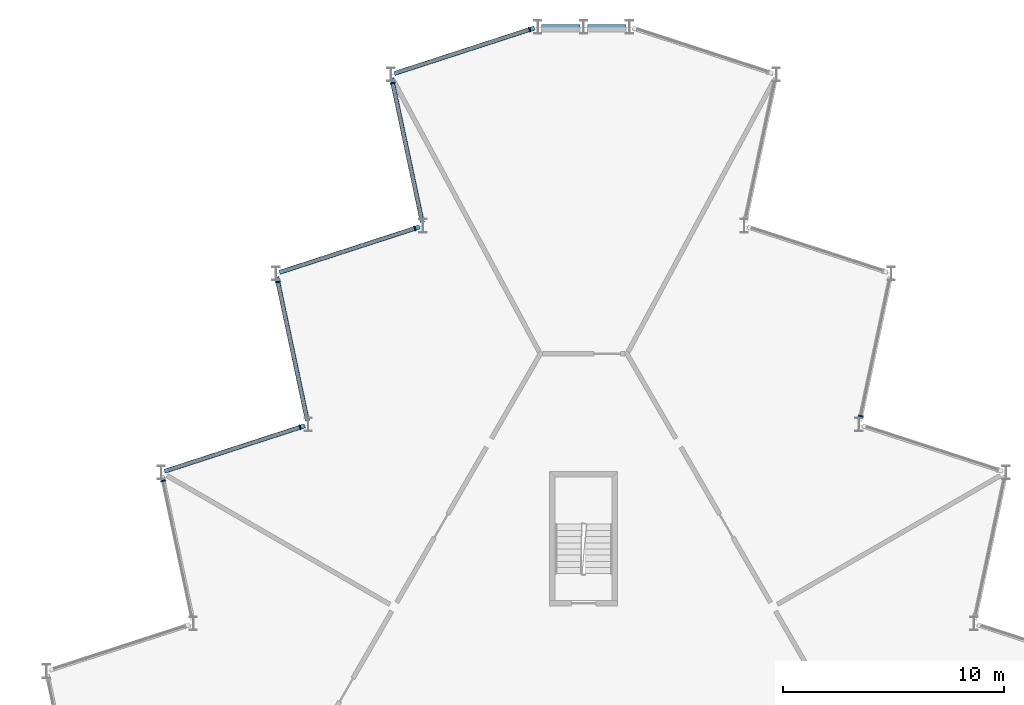
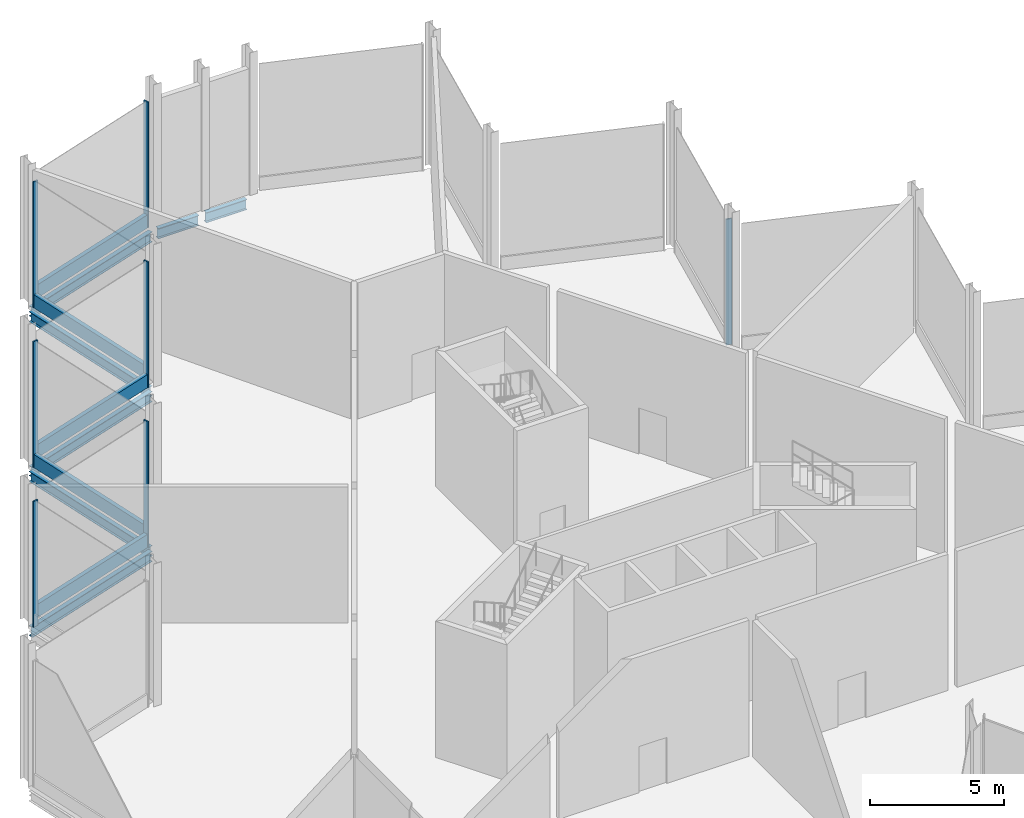
# One storey, part 7 of 12: 12 members, 7 beams, 7 elements without a shape of their own.
"""IFC4 building model written with IfcOpenShell, lengths in metres."""

from ifc_helpers import new_model, si_unit, direction, frame, origin, origin_2d, place, context, subcontext, project, spatial, rectangle, i_section, extrude, material, layer, layer_set, material_profile, profile_set, type_object, element, aggregate, save


model = new_model("IFC4")

# Units and contexts
model_context = context("Model", 3, precision=1e-05, world=origin(), true_north=direction((0.0, 1.0)))
body_context = subcontext(model_context, "Body", "Model", "MODEL_VIEW")
ifc_project = project(units=[si_unit("LENGTHUNIT", "METRE"), si_unit("AREAUNIT", "SQUARE_METRE"), si_unit("VOLUMEUNIT", "CUBIC_METRE"), si_unit("PLANEANGLEUNIT", "RADIAN"), si_unit("MASSUNIT", "GRAM", prefix="KILO")], contexts=[model_context])

# Site, building, storey
site_placement = place(None, origin())
site = spatial("IfcSite", under=ifc_project, at=site_placement, CompositionType="ELEMENT")
building_placement = place(site_placement, origin())
building = spatial("IfcBuilding", under=site, at=building_placement, Name="Cormorant Prow Tower", CompositionType="ELEMENT")
storey_placement = place(building_placement, frame((0.0, 0.0, 421.699951171875)))
storey = spatial("IfcBuildingStorey", under=building, at=storey_placement, Name="L95", CompositionType="ELEMENT", Elevation=421.699951171875)

# Curtain wall, member
ifc_material_1 = material(Name="Aluminium 6063-T6", Category="aluminium")
ifc_layer = layer(ifc_material_1, 0.219970703125)
ifc_layer_set = layer_set([ifc_layer], Name="Aluminium 6063-T6")
curtain_wall_type = type_object("IfcCurtainWallType", Name="Crown unitised curtain wall 220", PredefinedType="NOTDEFINED", material=ifc_layer_set)
curtain_wall_1_placement = place(storey_placement, origin())
curtain_wall_1 = element("IfcCurtainWall", 1, at=curtain_wall_1_placement, inside=storey, type_object=curtain_wall_type, Name="Crown curtain wall crown ENE06", PredefinedType="NOTDEFINED")
ifc_material_2 = material(Name="Aluminium 6063-T6", Category="aluminium")
ifc_material_profile_1 = material_profile(ifc_material_2, rectangle(XDim=0.219970703125, YDim=0.06005859375, at=origin_2d()), Name="Crown mullion 60x220")
ifc_profile_set_1 = profile_set([ifc_material_profile_1], Name="Aluminium 6063-T6")
member_type_1 = type_object("IfcMemberType", Name="Crown mullion 60x220", PredefinedType="MULLION", material=ifc_profile_set_1)
member_1_placement = place(storey_placement, frame((12.55615234375, 13.593505859375, 0.0), z_axis=(0.0, 0.0, 1.0), x_axis=(-0.978147615768, 0.207911620089, 0.0)))
member_1 = element("IfcMember", 2, at=member_1_placement, type_object=member_type_1, Name="Crown mullion crown ENE06", PredefinedType="MULLION", context=body_context, shape_type="SweptSolid", body=[
    extrude(rectangle(XDim=0.219970703125, YDim=0.06005859375, at=origin_2d()), origin(), (0.0, 0.0, 1.0), 5.73388671875),
])
aggregate(curtain_wall_1, [member_1])

curtain_wall_2_placement = place(storey_placement, origin())
curtain_wall_2 = element("IfcCurtainWall", 3, at=curtain_wall_2_placement, inside=storey, type_object=curtain_wall_type, Name="Crown curtain wall crown WNW00", PredefinedType="NOTDEFINED")
member_2_placement = place(storey_placement, frame((-2.450439453125, 31.09716796875, 0.0), z_axis=(0.0, 0.0, 1.0), x_axis=(0.309017066365, -0.951056492904, 0.0)))
member_2 = element("IfcMember", 4, at=member_2_placement, type_object=member_type_1, Name="Crown mullion crown WNW00", PredefinedType="MULLION", context=body_context, shape_type="SweptSolid", body=[
    extrude(rectangle(XDim=0.219970703125, YDim=0.06005859375, at=origin_2d()), origin(), (0.0, 0.0, 1.0), 5.73388671875),
])

curtain_wall_3_placement = place(storey_placement, origin())
curtain_wall_3 = element("IfcCurtainWall", 5, at=curtain_wall_3_placement, inside=storey, type_object=curtain_wall_type, Name="Crown curtain wall crown WNW01", PredefinedType="NOTDEFINED")
member_3_placement = place(storey_placement, frame((-8.646240234375, 28.669921875, 0.0), z_axis=(0.0, 0.0, 1.0), x_axis=(0.978147615768, 0.207911620089, 0.0)))
member_3 = element("IfcMember", 6, at=member_3_placement, type_object=member_type_1, Name="Crown mullion crown WNW01", PredefinedType="MULLION", context=body_context, shape_type="SweptSolid", body=[
    extrude(rectangle(XDim=0.219970703125, YDim=0.06005859375, at=origin_2d()), origin(), (0.0, 0.0, 1.0), 5.73388671875),
])

curtain_wall_4_placement = place(storey_placement, origin())
curtain_wall_4 = element("IfcCurtainWall", 7, at=curtain_wall_4_placement, inside=storey, type_object=curtain_wall_type, Name="Crown curtain wall crown WNW02", PredefinedType="NOTDEFINED")
member_4_placement = place(storey_placement, frame((-7.650390625, 22.090576171875, 0.0), z_axis=(0.0, 0.0, 1.0), x_axis=(0.309016937108, -0.951056534902, 0.0)))
member_4 = element("IfcMember", 8, at=member_4_placement, type_object=member_type_1, Name="Crown mullion crown WNW02", PredefinedType="MULLION", context=body_context, shape_type="SweptSolid", body=[
    extrude(rectangle(XDim=0.219970703125, YDim=0.06005859375, at=origin_2d()), origin(), (0.0, 0.0, 1.0), 5.73388671875),
])

curtain_wall_5_placement = place(storey_placement, origin())
curtain_wall_5 = element("IfcCurtainWall", 9, at=curtain_wall_5_placement, inside=storey, type_object=curtain_wall_type, Name="Crown curtain wall crown WNW03", PredefinedType="NOTDEFINED")
member_5_placement = place(storey_placement, frame((-13.84619140625, 19.663330078125, 0.0), z_axis=(0.0, 0.0, 1.0), x_axis=(0.978147615768, 0.207911620089, 0.0)))
member_5 = element("IfcMember", 10, at=member_5_placement, type_object=member_type_1, Name="Crown mullion crown WNW03", PredefinedType="MULLION", context=body_context, shape_type="SweptSolid", body=[
    extrude(rectangle(XDim=0.219970703125, YDim=0.06005859375, at=origin_2d()), origin(), (0.0, 0.0, 1.0), 5.73388671875),
])

curtain_wall_6_placement = place(storey_placement, origin())
curtain_wall_6 = element("IfcCurtainWall", 11, at=curtain_wall_6_placement, inside=storey, type_object=curtain_wall_type, Name="Crown curtain wall crown WNW04", PredefinedType="NOTDEFINED")
member_6_placement = place(storey_placement, frame((-12.850341796875, 13.083740234375, 0.0), z_axis=(0.0, 0.0, 1.0), x_axis=(0.309017066365, -0.951056492904, 0.0)))
member_6 = element("IfcMember", 12, at=member_6_placement, type_object=member_type_1, Name="Crown mullion crown WNW04", PredefinedType="MULLION", context=body_context, shape_type="SweptSolid", body=[
    extrude(rectangle(XDim=0.219970703125, YDim=0.06005859375, at=origin_2d()), origin(), (0.0, 0.0, 1.0), 5.73388671875),
])

curtain_wall_7_placement = place(storey_placement, origin())
curtain_wall_7 = element("IfcCurtainWall", 13, at=curtain_wall_7_placement, inside=storey, type_object=curtain_wall_type, Name="Crown curtain wall crown WNW05", PredefinedType="NOTDEFINED")
member_7_placement = place(storey_placement, frame((-19.04638671875, 10.656494140625, 0.0), z_axis=(0.0, 0.0, 1.0), x_axis=(0.978147609588, 0.207911649162, 0.0)))
member_7 = element("IfcMember", 14, at=member_7_placement, type_object=member_type_1, Name="Crown mullion crown WNW05", PredefinedType="MULLION", context=body_context, shape_type="SweptSolid", body=[
    extrude(rectangle(XDim=0.219970703125, YDim=0.06005859375, at=origin_2d()), origin(), (0.0, 0.0, 1.0), 5.73388671875),
])
aggregate(curtain_wall_7, [member_7])

# Beams
ifc_material_3 = material(Name="Structural steel ASTM A992 Gr 50", Category="steel")
ifc_material_profile_2 = material_profile(ifc_material_3, i_section(OverallWidth=0.19287109375, OverallDepth=0.466064453125, WebThickness=0.011474609375, FlangeThickness=0.01904296875, at=origin_2d()), Name="W18x65")
ifc_profile_set_2 = profile_set([ifc_material_profile_2], Name="Structural steel ASTM A992 Gr 50")
beam_type = type_object("IfcBeamType", Name="Crown ring beam W18x65", PredefinedType="SPANDREL", material=ifc_profile_set_2)
for number, where, z_axis, x_axis, name in (
    (15, (1.91064453125, 31.219482421875, -0.532958984375), (-1.0, 0.0, 0.0), (0.0, -1.0, 0.0), "Crown ring beam SB5 N00-N01 L95"),
    (16, (-0.163330078125, 31.219482421875, -0.532958984375), (-1.0, 0.0, 0.0), (0.0, -1.0, 0.0), "Crown ring beam SB5 N01-WNW00 L95"),
):
    element("IfcBeam", number, at=place(storey_placement, frame(where, z_axis=z_axis, x_axis=x_axis)), inside=storey, type_object=beam_type, Name=name, PredefinedType="SPANDREL", context=body_context, shape_type="SweptSolid", body=[
        extrude(i_section(OverallWidth=0.19287109375, OverallDepth=0.466064453125, WebThickness=0.011474609375, FlangeThickness=0.01904296875, at=origin_2d()), origin(), (0.0, 0.0, 1.0), 1.747314453125),
    ])
for number, where, z_axis, x_axis, name in (
    (17, (-2.22900390625, 31.169189453125, -0.532958984375), (-0.951049666898, -0.309038073858, 0.0), (0.309038073858, -0.951049666898, 0.0), "Crown ring beam SB5 WNW00-WNW01 L95"),
    (18, (-8.694580078125, 28.8974609375, -0.532958984375), (0.207884143827, -0.978153455622, 0.0), (0.978153455622, 0.207884143827, 0.0), "Crown ring beam SB5 WNW01-WNW02 L95"),
):
    element("IfcBeam", number, at=place(storey_placement, frame(where, z_axis=z_axis, x_axis=x_axis)), inside=storey, type_object=beam_type, Name=name, PredefinedType="SPANDREL", context=body_context, shape_type="SweptSolid", body=[
        extrude(i_section(OverallWidth=0.19287109375, OverallDepth=0.466064453125, WebThickness=0.011474609375, FlangeThickness=0.01904296875, at=origin_2d()), origin(), (0.0, 0.0, 1.0), 6.670654296875),
    ])
beam_placement = place(storey_placement, frame((-7.428955078125, 22.162353515625, -0.532958984375), z_axis=(-0.951063917575, -0.308994214649, 0.0), x_axis=(0.308994214649, -0.951063917575, 0.0)))
element("IfcBeam", 19, at=beam_placement, inside=storey, type_object=beam_type, Name="Crown ring beam SB5 WNW02-WNW03 L95", PredefinedType="SPANDREL", context=body_context, shape_type="SweptSolid", body=[
    extrude(i_section(OverallWidth=0.19287109375, OverallDepth=0.466064453125, WebThickness=0.011474609375, FlangeThickness=0.01904296875, at=origin_2d()), origin(), (0.0, 0.0, 1.0), 6.6708984375),
])
for number, where, z_axis, x_axis, name in (
    (20, (-13.894775390625, 19.890869140625, -0.532958984375), (0.207919161079, -0.978146012851, 0.0), (0.978146012851, 0.207919161079, 0.0), "Crown ring beam SB5 WNW03-WNW04 L95"),
    (21, (-12.629150390625, 13.15576171875, -0.532958984375), (-0.951049666898, -0.309038073858, 0.0), (0.309038073858, -0.951049666898, 0.0), "Crown ring beam SB5 WNW04-WNW05 L95"),
):
    element("IfcBeam", number, at=place(storey_placement, frame(where, z_axis=z_axis, x_axis=x_axis)), inside=storey, type_object=beam_type, Name=name, PredefinedType="SPANDREL", context=body_context, shape_type="SweptSolid", body=[
        extrude(i_section(OverallWidth=0.19287109375, OverallDepth=0.466064453125, WebThickness=0.011474609375, FlangeThickness=0.01904296875, at=origin_2d()), origin(), (0.0, 0.0, 1.0), 6.670654296875),
    ])

# Member
ifc_material_4 = material(Name="Terracotta", Category="masonry")
ifc_material_profile_3 = material_profile(ifc_material_4, rectangle(XDim=0.179931640625, YDim=0.60009765625, at=origin_2d()), Name="Crown terracotta spandrel rail 180x600")
ifc_profile_set_3 = profile_set([ifc_material_profile_3], Name="Terracotta")
member_type_2 = type_object("IfcMemberType", Name="Crown terracotta spandrel rail 180x600", PredefinedType="USERDEFINED", material=ifc_profile_set_3)
member_8_placement = place(storey_placement, frame((-2.47900390625, 31.087890625, 0.300048828125), z_axis=(-0.951059797983, -0.309006894194, 0.0), x_axis=(0.309006894194, -0.951059797983, 0.0)))
member_8 = element("IfcMember", 22, at=member_8_placement, type_object=member_type_2, Name="Crown spandrel rail crown WNW00", ObjectType="TRANSOM", PredefinedType="USERDEFINED", context=body_context, shape_type="SweptSolid", body=[
    extrude(rectangle(XDim=0.179931640625, YDim=0.60009765625, at=origin_2d()), origin(), (0.0, 0.0, 1.0), 6.205322265625),
])

aggregate(curtain_wall_2, [member_2, member_8])

member_9_placement = place(storey_placement, frame((-8.64013671875, 28.640625, 0.300048828125), z_axis=(0.207927454003, -0.978144250033, 0.0), x_axis=(0.978144250033, 0.207927454003, 0.0)))
member_9 = element("IfcMember", 23, at=member_9_placement, type_object=member_type_2, Name="Crown spandrel rail crown WNW01", ObjectType="TRANSOM", PredefinedType="USERDEFINED", context=body_context, shape_type="SweptSolid", body=[
    extrude(rectangle(XDim=0.179931640625, YDim=0.60009765625, at=origin_2d()), origin(), (0.0, 0.0, 1.0), 6.20556640625),
])

aggregate(curtain_wall_3, [member_3, member_9])

member_10_placement = place(storey_placement, frame((-7.678955078125, 22.081298828125, 0.300048828125), z_axis=(-0.951048234918, -0.309042480672, 0.0), x_axis=(0.309042480672, -0.951048234918, 0.0)))
member_10 = element("IfcMember", 24, at=member_10_placement, type_object=member_type_2, Name="Crown spandrel rail crown WNW02", ObjectType="TRANSOM", PredefinedType="USERDEFINED", context=body_context, shape_type="SweptSolid", body=[
    extrude(rectangle(XDim=0.179931640625, YDim=0.60009765625, at=origin_2d()), origin(), (0.0, 0.0, 1.0), 6.205322265625),
])

aggregate(curtain_wall_4, [member_4, member_10])

member_11_placement = place(storey_placement, frame((-13.840087890625, 19.6337890625, 0.300048828125), z_axis=(0.207935455991, -0.978142548988, 0.0), x_axis=(0.978142548988, 0.207935455991, 0.0)))
member_11 = element("IfcMember", 25, at=member_11_placement, type_object=member_type_2, Name="Crown spandrel rail crown WNW03", ObjectType="TRANSOM", PredefinedType="USERDEFINED", context=body_context, shape_type="SweptSolid", body=[
    extrude(rectangle(XDim=0.179931640625, YDim=0.60009765625, at=origin_2d()), origin(), (0.0, 0.0, 1.0), 6.205322265625),
])

aggregate(curtain_wall_5, [member_5, member_11])

member_12_placement = place(storey_placement, frame((-12.87890625, 13.074462890625, 0.300048828125), z_axis=(-0.951059797983, -0.309006894194, 0.0), x_axis=(0.309006894194, -0.951059797983, 0.0)))
member_12 = element("IfcMember", 26, at=member_12_placement, type_object=member_type_2, Name="Crown spandrel rail crown WNW04", ObjectType="TRANSOM", PredefinedType="USERDEFINED", context=body_context, shape_type="SweptSolid", body=[
    extrude(rectangle(XDim=0.179931640625, YDim=0.60009765625, at=origin_2d()), origin(), (0.0, 0.0, 1.0), 6.205322265625),
])

aggregate(curtain_wall_6, [member_6, member_12])

save(model, "model.ifc")
